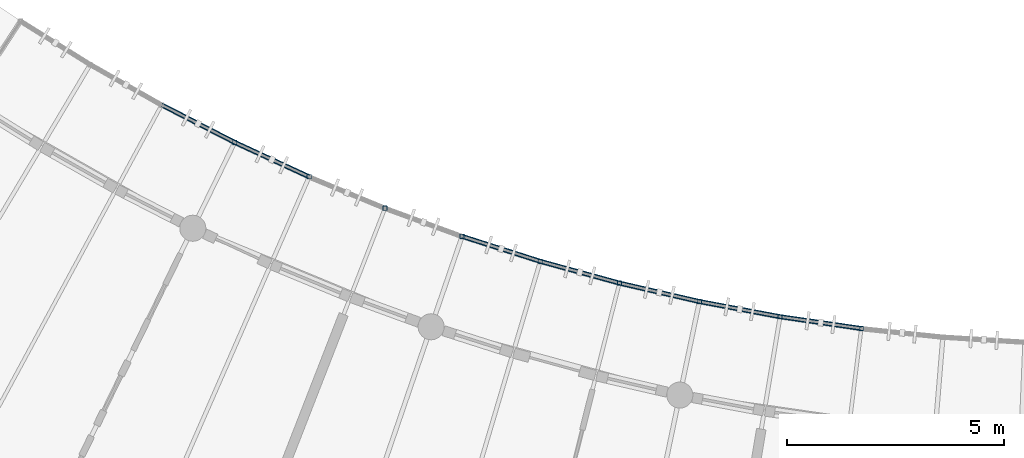
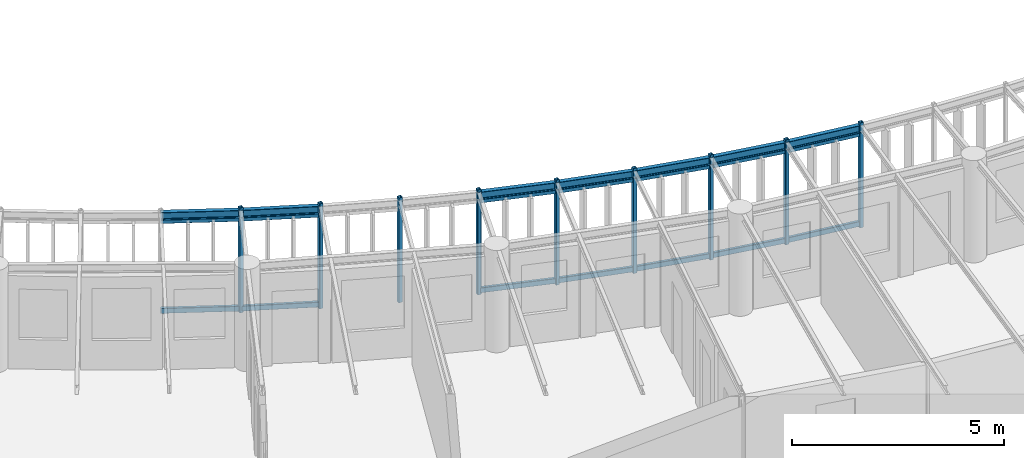
# One storey, part 9 of 100: 23 members, 7 beams.
"""IFC4 building model written with IfcOpenShell, lengths in metres."""

import ifcopenshell
import ifcopenshell.guid

model = None  # the IFC model being written
_history = None  # IfcOwnerHistory: only IFC2X3 demands one
_inside = {}  # id of a spatial element -> (the spatial element, [elements in it])
_under = {}  # id of a project, library or spatial element -> (it, [spatial elements below it])
_declared = {}  # id of a project -> (the project, [libraries it declares])
_typed = {}  # id of a type object -> (the type object, [elements of that type])
_made_of = {}  # id of a material, layer set ... -> (it, [elements and type objects made of it])


def new_model(schema):
    """Start an empty IFC model of exactly this schema.

    Asked for "IFC4X3", IfcOpenShell would pick the latest addendum, in which some entities
    have other attributes; the version numbers below select the first issue.
    IFC2X3 requires an IfcOwnerHistory on every rooted entity: one is made here for all.
    """
    global model, _history
    if schema == "IFC4X3":
        model = ifcopenshell.file(schema_version=(4, 3, 0, 0))
    else:
        model = ifcopenshell.file(schema=schema)
    _inside.clear()
    _under.clear()
    _declared.clear()
    _typed.clear()
    _made_of.clear()
    _history = None
    if model.schema == "IFC2X3":
        org = make("IfcOrganization", Name="unknown")
        user = make(
            "IfcPersonAndOrganization",
            ThePerson=make("IfcPerson", FamilyName="unknown"),
            TheOrganization=org,
        )
        app = make(
            "IfcApplication",
            ApplicationDeveloper=org,
            Version="unknown",
            ApplicationFullName="unknown",
            ApplicationIdentifier="unknown",
        )
        _history = make(
            "IfcOwnerHistory",
            OwningUser=user,
            OwningApplication=app,
            ChangeAction="ADDED",
            CreationDate=0,
        )
    return model


def make(cls, **values):
    """One entity of the class cls with the attributes given. An attribute that is None is left unset."""
    return model.create_entity(
        cls, **{name: value for name, value in values.items() if value is not None}
    )


def rooted(cls, **values):
    """An entity with a GlobalId (a new one), such as an element, a storey or a relation."""
    return make(cls, GlobalId=ifcopenshell.guid.new(), OwnerHistory=_history, **values)


def si_unit(unit_type, name, prefix=None):
    """IfcSIUnit, for example si_unit("LENGTHUNIT", "METRE", prefix="MILLI")."""
    return make("IfcSIUnit", UnitType=unit_type, Prefix=prefix, Name=name)


def assignment(units):
    """IfcUnitAssignment: the units of a project."""
    return None if units is None else make("IfcUnitAssignment", Units=units)


def point(xyz):
    """IfcCartesianPoint."""
    return None if xyz is None else make("IfcCartesianPoint", Coordinates=xyz)


def direction(xyz):
    """IfcDirection."""
    return None if xyz is None else make("IfcDirection", DirectionRatios=xyz)


def frame(location, z_axis=None, x_axis=None):
    """IfcAxis2Placement3D, a coordinate frame: its origin and axes. An axis left out is left unset."""
    return make(
        "IfcAxis2Placement3D",
        Location=point(location),
        Axis=direction(z_axis),
        RefDirection=direction(x_axis),
    )


def frame_2d(location, x_axis=None):
    """IfcAxis2Placement2D, a coordinate frame in the plane: its origin and x axis."""
    return make(
        "IfcAxis2Placement2D", Location=point(location), RefDirection=direction(x_axis)
    )


def origin():
    """The frame at (0, 0, 0) with its axes left unset."""
    return frame((0.0, 0.0, 0.0))


def origin_2d():
    """The frame at (0, 0) in the plane with its x axis left unset."""
    return frame_2d((0.0, 0.0))


def place(relative_to, where):
    """IfcLocalPlacement: puts the frame where relative to a parent placement (None: the world)."""
    return make(
        "IfcLocalPlacement", PlacementRelTo=relative_to, RelativePlacement=where
    )


def context(
    kind, dimensions, precision=None, world=None, true_north=None, identifier=None
):
    """IfcGeometricRepresentationContext, for example the 3D "Model" context."""
    return make(
        "IfcGeometricRepresentationContext",
        ContextIdentifier=identifier,
        ContextType=kind,
        CoordinateSpaceDimension=dimensions,
        Precision=precision,
        WorldCoordinateSystem=world,
        TrueNorth=true_north,
    )


def subcontext(parent, identifier, kind, view, scale=None):
    """IfcGeometricRepresentationSubContext, for example "Body" below "Model"."""
    return make(
        "IfcGeometricRepresentationSubContext",
        ContextIdentifier=identifier,
        ContextType=kind,
        ParentContext=parent,
        TargetScale=scale,
        TargetView=view,
    )


def project(units=None, contexts=None):
    """IfcProject with its units and contexts."""
    return rooted(
        "IfcProject",
        Name="project",
        RepresentationContexts=contexts,
        UnitsInContext=assignment(units),
    )


def spatial(cls, under=None, at=None, **own):
    """A site, building, storey or space (cls), placed at a placement, below another one or the project."""
    s = rooted(cls, ObjectPlacement=at, **own)
    if under is not None:
        _under.setdefault(under.id(), (under, []))[1].append(s)
    return s


def profile(cls, at=None, kind="AREA", **sizes):
    """A parametric profile (cls). Its sizes go by their IFC names, for example OverallWidth=200.0."""
    return make(cls, ProfileType=kind, Position=at, **sizes)


def hollow_rectangle(**sizes):
    """IfcRectangleHollowProfileDef."""
    return profile("IfcRectangleHollowProfileDef", **sizes)


def i_section(**sizes):
    """IfcIShapeProfileDef."""
    return profile("IfcIShapeProfileDef", **sizes)


def extrude(swept, where, along, depth):
    """IfcExtrudedAreaSolid: the profile swept, set in the frame where, extruded along a direction by depth."""
    return make(
        "IfcExtrudedAreaSolid",
        SweptArea=swept,
        Position=where,
        ExtrudedDirection=direction(along),
        Depth=depth,
    )


def shape(context_of_items, identifier, shape_type, items):
    """IfcShapeRepresentation: the items that make up one representation, for example the "Body"."""
    return make(
        "IfcShapeRepresentation",
        ContextOfItems=context_of_items,
        RepresentationIdentifier=identifier,
        RepresentationType=shape_type,
        Items=items,
    )


def material(Name=None, Category=None):
    """IfcMaterial."""
    return make("IfcMaterial", Name=Name, Category=Category)


def material_profile(
    of_material, cross_section, Name=None, Category=None, Priority=None
):
    """IfcMaterialProfile: a cross section and its material."""
    return make(
        "IfcMaterialProfile",
        Name=Name,
        Material=of_material,
        Profile=cross_section,
        Priority=Priority,
        Category=Category,
    )


def profile_set(profiles, Name=None, composite=None):
    """IfcMaterialProfileSet."""
    return make(
        "IfcMaterialProfileSet",
        Name=Name,
        MaterialProfiles=profiles,
        CompositeProfile=composite,
    )


def made_of(thing, what):
    """Note that an element or type object is made of a material, layer set ...; save() writes the relation."""
    if what is not None:
        _made_of.setdefault(what.id(), (what, []))[1].append(thing)
    return thing


def type_object(cls, material=None, **own):
    """A type object (cls), such as IfcWallType, which elements share."""
    return made_of(rooted(cls, **own), material)


def element(
    cls,
    number,
    at=None,
    inside=None,
    cuts=None,
    type_object=None,
    material=None,
    context=None,
    identifier="Body",
    shape_type=None,
    held_by="IfcProductDefinitionShape",
    body=None,
    shapes=None,
    **own,
):
    """One element of the class cls, such as IfcWall. Its Tag is "e" and its number.

    at: its placement. inside: the storey or other place that contains it. cuts: it is an
    opening in that element (IfcRelVoidsElement). A single representation is given by context,
    identifier, shape_type and body (its items); several are given by shapes. held_by: the class
    of the entity that holds the representations. save() writes the other relations.
    """
    e = rooted(cls, Tag="e%d" % number, ObjectPlacement=at, **own)
    if body is not None:
        shapes = [shape(context, identifier, shape_type, body)]
    if shapes is not None:
        e.Representation = make(held_by, Representations=shapes)
    if inside is not None:
        _inside.setdefault(inside.id(), (inside, []))[1].append(e)
    if cuts is not None:
        rooted(
            "IfcRelVoidsElement", RelatingBuildingElement=cuts, RelatedOpeningElement=e
        )
    if type_object is not None:
        _typed.setdefault(type_object.id(), (type_object, []))[1].append(e)
    return made_of(e, material)


def aggregate(whole, parts):
    """IfcRelAggregates: a whole, such as a stair, and the parts it consists of."""
    return rooted("IfcRelAggregates", RelatingObject=whole, RelatedObjects=parts)


def save(model, path):
    """Write the relations noted so far, then the file.

    IfcRelAggregates (storeys below a building ...), IfcRelContainedInSpatialStructure (elements
    in a storey), IfcRelDefinesByType, IfcRelAssociatesMaterial and IfcRelDeclares: one each for
    every whole, place, type object, material and project.
    """
    for whole, parts in _under.values():
        aggregate(whole, parts)
    for where, things in _inside.values():
        rooted(
            "IfcRelContainedInSpatialStructure",
            RelatedElements=things,
            RelatingStructure=where,
        )
    for kind, things in _typed.values():
        rooted("IfcRelDefinesByType", RelatedObjects=things, RelatingType=kind)
    for what, things in _made_of.values():
        rooted("IfcRelAssociatesMaterial", RelatedObjects=things, RelatingMaterial=what)
    for by, libraries in _declared.values():
        rooted("IfcRelDeclares", RelatingContext=by, RelatedDefinitions=libraries)
    model.write(path)


model = new_model("IFC4")

# Units and contexts
model_context = context("Model", 3, precision=1e-05, world=origin(), true_north=direction((0.0, 1.0)))
body_context = subcontext(model_context, "Body", "Model", "MODEL_VIEW")
ifc_project = project(units=[si_unit("LENGTHUNIT", "METRE"), si_unit("AREAUNIT", "SQUARE_METRE"), si_unit("VOLUMEUNIT", "CUBIC_METRE"), si_unit("PLANEANGLEUNIT", "RADIAN"), si_unit("MASSUNIT", "GRAM", prefix="KILO"), si_unit("POWERUNIT", "WATT"), si_unit("THERMODYNAMICTEMPERATUREUNIT", "KELVIN")], contexts=[model_context])

# Site, building, storey
site_placement = place(None, origin())
site = spatial("IfcSite", under=ifc_project, at=site_placement, CompositionType="ELEMENT")
building_placement = place(site_placement, origin())
building = spatial("IfcBuilding", under=site, at=building_placement, Name="Ruvembo Vaulted Housing Court", CompositionType="ELEMENT")
storey_placement = place(building_placement, frame((0.0, 0.0, 14.10009765625)))
storey = spatial("IfcBuildingStorey", under=building, at=storey_placement, Name="L04", CompositionType="ELEMENT", Elevation=14.10009765625)

# Beams
ifc_material = material(Name="Steel S355J2", Category="steel")
ifc_material_profile_1 = material_profile(ifc_material, i_section(OverallWidth=0.110107421875, OverallDepth=0.219970703125, WebThickness=0.005859375, FlangeThickness=0.00927734375, FilletRadius=0.011962890625, at=origin_2d()), Name="IPE 220")
ifc_profile_set_1 = profile_set([ifc_material_profile_1], Name="Steel S355J2")
beam_type = type_object("IfcBeamType", Name="BM-ST-IPE220", PredefinedType="SPANDREL", material=ifc_profile_set_1)
for number, where, z_axis, x_axis, name in (
    (1, (47.241943359375, 21.6982421875, 2.829833984375), (0.889568437347, -0.45680192127, 0.0), (0.45680192127, 0.889568437347, 0.0), "Scoop SC2 L04 Balcony Edge Spandrel 2"),
    (2, (48.922607421875, 20.835205078125, 2.829833984375), (0.907656578832, -0.419713634403, 0.0), (0.419713634403, 0.907656578832, 0.0), "Scoop SC2 L04 Balcony Edge Spandrel 3"),
):
    element("IfcBeam", number, at=place(storey_placement, frame(where, z_axis=z_axis, x_axis=x_axis)), inside=storey, type_object=beam_type, Name=name, PredefinedType="SPANDREL", context=body_context, shape_type="SweptSolid", body=[
        extrude(i_section(OverallWidth=0.110107421875, OverallDepth=0.219970703125, WebThickness=0.005859375, FlangeThickness=0.00927734375, FilletRadius=0.011962890625, at=origin_2d()), origin(), (0.0, 0.0, 1.0), 1.889404296875),
    ])
beam_1_placement = place(storey_placement, frame((54.15771484375, 18.671630859375, 2.829833984375), z_axis=(0.952526124364, -0.304456864605, 0.0), x_axis=(0.304456864605, 0.952526124364, 0.0)))
element("IfcBeam", 3, at=beam_1_placement, inside=storey, type_object=beam_type, Name="Scoop SC2 L04 Balcony Edge Spandrel 6", PredefinedType="SPANDREL", context=body_context, shape_type="SweptSolid", body=[
    extrude(i_section(OverallWidth=0.110107421875, OverallDepth=0.219970703125, WebThickness=0.005859375, FlangeThickness=0.00927734375, FilletRadius=0.011962890625, at=origin_2d()), origin(), (0.0, 0.0, 1.0), 1.88916015625),
])
beam_2_placement = place(storey_placement, frame((55.957275390625, 18.096435546875, 2.829833984375), z_axis=(0.964240073493, -0.26503033915, 0.0), x_axis=(0.26503033915, 0.964240073493, 0.0)))
element("IfcBeam", 4, at=beam_2_placement, inside=storey, type_object=beam_type, Name="Scoop SC2 L04 Balcony Edge Spandrel 7", PredefinedType="SPANDREL", context=body_context, shape_type="SweptSolid", body=[
    extrude(i_section(OverallWidth=0.110107421875, OverallDepth=0.219970703125, WebThickness=0.005859375, FlangeThickness=0.00927734375, FilletRadius=0.011962890625, at=origin_2d()), origin(), (0.0, 0.0, 1.0), 1.889404296875),
])
beam_3_placement = place(storey_placement, frame((57.779052734375, 17.595703125, 2.829833984375), z_axis=(0.974391195695, -0.224859506699, 0.0), x_axis=(0.224859506699, 0.974391195695, 0.0)))
element("IfcBeam", 5, at=beam_3_placement, inside=storey, type_object=beam_type, Name="Scoop SC2 L04 Balcony Edge Spandrel 8", PredefinedType="SPANDREL", context=body_context, shape_type="SweptSolid", body=[
    extrude(i_section(OverallWidth=0.110107421875, OverallDepth=0.219970703125, WebThickness=0.005859375, FlangeThickness=0.00927734375, FilletRadius=0.011962890625, at=origin_2d()), origin(), (0.0, 0.0, 1.0), 1.88916015625),
])
beam_4_placement = place(storey_placement, frame((59.619873046875, 17.1708984375, 2.829833984375), z_axis=(0.982804832401, -0.184647397515, 0.0), x_axis=(0.184647397515, 0.982804832401, 0.0)))
element("IfcBeam", 6, at=beam_4_placement, inside=storey, type_object=beam_type, Name="Scoop SC2 L04 Balcony Edge Spandrel 9", PredefinedType="SPANDREL", context=body_context, shape_type="SweptSolid", body=[
    extrude(i_section(OverallWidth=0.110107421875, OverallDepth=0.219970703125, WebThickness=0.005859375, FlangeThickness=0.00927734375, FilletRadius=0.011962890625, at=origin_2d()), origin(), (0.0, 0.0, 1.0), 1.889404296875),
])
beam_5_placement = place(storey_placement, frame((61.476806640625, 16.822021484375, 2.829833984375), z_axis=(0.989600158039, -0.143845497701, 0.0), x_axis=(0.143845497701, 0.989600158039, 0.0)))
element("IfcBeam", 7, at=beam_5_placement, inside=storey, type_object=beam_type, Name="Scoop SC2 L04 Balcony Edge Spandrel 10", PredefinedType="SPANDREL", context=body_context, shape_type="SweptSolid", body=[
    extrude(i_section(OverallWidth=0.110107421875, OverallDepth=0.219970703125, WebThickness=0.005859375, FlangeThickness=0.00927734375, FilletRadius=0.011962890625, at=origin_2d()), origin(), (0.0, 0.0, 1.0), 1.888916015625),
])

# Members
ifc_material_profile_2 = material_profile(ifc_material, hollow_rectangle(XDim=0.06005859375, YDim=0.1201171875, WallThickness=0.0048828125, InnerFilletRadius=0.0048828125, OuterFilletRadius=0.010009765625, at=origin_2d()), Name="RHS 120x60x5")
ifc_profile_set_2 = profile_set([ifc_material_profile_2], Name="Steel S355J2")
member_type_1 = type_object("IfcMemberType", Name="MEM-CAR-RHS120", PredefinedType="CHORD", material=ifc_profile_set_2)
for number, where, z_axis, x_axis, name in (
    (8, (47.241943359375, 21.6982421875, 2.662841796875), (0.889568437347, -0.45680192127, 0.0), (0.45680192127, 0.889568437347, 0.0), "Scoop SC2 L04 Upper Louvre Carrier Rail 2"),
    (9, (48.922607421875, 20.835205078125, 2.662841796875), (0.907656578832, -0.419713634403, 0.0), (0.419713634403, 0.907656578832, 0.0), "Scoop SC2 L04 Upper Louvre Carrier Rail 3"),
):
    element("IfcMember", number, at=place(storey_placement, frame(where, z_axis=z_axis, x_axis=x_axis)), inside=storey, type_object=member_type_1, Name=name, PredefinedType="CHORD", context=body_context, shape_type="SweptSolid", body=[
        extrude(hollow_rectangle(XDim=0.06005859375, YDim=0.1201171875, WallThickness=0.0048828125, InnerFilletRadius=0.0048828125, OuterFilletRadius=0.010009765625, at=origin_2d()), origin(), (0.0, 0.0, 1.0), 1.889404296875),
    ])
member_1_placement = place(storey_placement, frame((54.15771484375, 18.671630859375, 2.662841796875), z_axis=(0.952526124364, -0.304456864605, 0.0), x_axis=(0.304456864605, 0.952526124364, 0.0)))
element("IfcMember", 10, at=member_1_placement, inside=storey, type_object=member_type_1, Name="Scoop SC2 L04 Upper Louvre Carrier Rail 6", PredefinedType="CHORD", context=body_context, shape_type="SweptSolid", body=[
    extrude(hollow_rectangle(XDim=0.06005859375, YDim=0.1201171875, WallThickness=0.0048828125, InnerFilletRadius=0.0048828125, OuterFilletRadius=0.010009765625, at=origin_2d()), origin(), (0.0, 0.0, 1.0), 1.88916015625),
])
member_2_placement = place(storey_placement, frame((55.957275390625, 18.096435546875, 2.662841796875), z_axis=(0.964240073493, -0.26503033915, 0.0), x_axis=(0.26503033915, 0.964240073493, 0.0)))
element("IfcMember", 11, at=member_2_placement, inside=storey, type_object=member_type_1, Name="Scoop SC2 L04 Upper Louvre Carrier Rail 7", PredefinedType="CHORD", context=body_context, shape_type="SweptSolid", body=[
    extrude(hollow_rectangle(XDim=0.06005859375, YDim=0.1201171875, WallThickness=0.0048828125, InnerFilletRadius=0.0048828125, OuterFilletRadius=0.010009765625, at=origin_2d()), origin(), (0.0, 0.0, 1.0), 1.889404296875),
])
member_3_placement = place(storey_placement, frame((57.779052734375, 17.595703125, 2.662841796875), z_axis=(0.974391195695, -0.224859506699, 0.0), x_axis=(0.224859506699, 0.974391195695, 0.0)))
element("IfcMember", 12, at=member_3_placement, inside=storey, type_object=member_type_1, Name="Scoop SC2 L04 Upper Louvre Carrier Rail 8", PredefinedType="CHORD", context=body_context, shape_type="SweptSolid", body=[
    extrude(hollow_rectangle(XDim=0.06005859375, YDim=0.1201171875, WallThickness=0.0048828125, InnerFilletRadius=0.0048828125, OuterFilletRadius=0.010009765625, at=origin_2d()), origin(), (0.0, 0.0, 1.0), 1.88916015625),
])
member_4_placement = place(storey_placement, frame((59.619873046875, 17.1708984375, 2.662841796875), z_axis=(0.982804832401, -0.184647397515, 0.0), x_axis=(0.184647397515, 0.982804832401, 0.0)))
element("IfcMember", 13, at=member_4_placement, inside=storey, type_object=member_type_1, Name="Scoop SC2 L04 Upper Louvre Carrier Rail 9", PredefinedType="CHORD", context=body_context, shape_type="SweptSolid", body=[
    extrude(hollow_rectangle(XDim=0.06005859375, YDim=0.1201171875, WallThickness=0.0048828125, InnerFilletRadius=0.0048828125, OuterFilletRadius=0.010009765625, at=origin_2d()), origin(), (0.0, 0.0, 1.0), 1.889404296875),
])
member_5_placement = place(storey_placement, frame((61.476806640625, 16.822021484375, 2.662841796875), z_axis=(0.989600158039, -0.143845497701, 0.0), x_axis=(0.143845497701, 0.989600158039, 0.0)))
element("IfcMember", 14, at=member_5_placement, inside=storey, type_object=member_type_1, Name="Scoop SC2 L04 Upper Louvre Carrier Rail 10", PredefinedType="CHORD", context=body_context, shape_type="SweptSolid", body=[
    extrude(hollow_rectangle(XDim=0.06005859375, YDim=0.1201171875, WallThickness=0.0048828125, InnerFilletRadius=0.0048828125, OuterFilletRadius=0.010009765625, at=origin_2d()), origin(), (0.0, 0.0, 1.0), 1.888916015625),
])
ifc_material_profile_3 = material_profile(ifc_material, hollow_rectangle(XDim=0.080078125, YDim=0.14990234375, WallThickness=0.00634765625, InnerFilletRadius=0.00634765625, OuterFilletRadius=0.0126953125, at=origin_2d()), Name="RHS 150x80x6.3")
ifc_profile_set_3 = profile_set([ifc_material_profile_3], Name="Steel S355J2")
member_type_2 = type_object("IfcMemberType", Name="MEM-CAR-RHS150", PredefinedType="CHORD", material=ifc_profile_set_3)
for number, where, z_axis, x_axis, name in (
    (15, (47.241943359375, 21.6982421875, 0.094970703125), (0.889568437347, -0.45680192127, 0.0), (0.45680192127, 0.889568437347, 0.0), "Scoop SC2 L04 Lower Louvre Carrier Rail 2"),
    (16, (48.922607421875, 20.835205078125, 0.094970703125), (0.907656578832, -0.419713634403, 0.0), (0.419713634403, 0.907656578832, 0.0), "Scoop SC2 L04 Lower Louvre Carrier Rail 3"),
):
    element("IfcMember", number, at=place(storey_placement, frame(where, z_axis=z_axis, x_axis=x_axis)), inside=storey, type_object=member_type_2, Name=name, PredefinedType="CHORD", context=body_context, shape_type="SweptSolid", body=[
        extrude(hollow_rectangle(XDim=0.080078125, YDim=0.14990234375, WallThickness=0.00634765625, InnerFilletRadius=0.00634765625, OuterFilletRadius=0.0126953125, at=origin_2d()), origin(), (0.0, 0.0, 1.0), 1.889404296875),
    ])
member_6_placement = place(storey_placement, frame((54.15771484375, 18.671630859375, 0.094970703125), z_axis=(0.952526124364, -0.304456864605, 0.0), x_axis=(0.304456864605, 0.952526124364, 0.0)))
element("IfcMember", 17, at=member_6_placement, inside=storey, type_object=member_type_2, Name="Scoop SC2 L04 Lower Louvre Carrier Rail 6", PredefinedType="CHORD", context=body_context, shape_type="SweptSolid", body=[
    extrude(hollow_rectangle(XDim=0.080078125, YDim=0.14990234375, WallThickness=0.00634765625, InnerFilletRadius=0.00634765625, OuterFilletRadius=0.0126953125, at=origin_2d()), origin(), (0.0, 0.0, 1.0), 1.88916015625),
])
member_7_placement = place(storey_placement, frame((55.957275390625, 18.096435546875, 0.094970703125), z_axis=(0.964240073493, -0.26503033915, 0.0), x_axis=(0.26503033915, 0.964240073493, 0.0)))
element("IfcMember", 18, at=member_7_placement, inside=storey, type_object=member_type_2, Name="Scoop SC2 L04 Lower Louvre Carrier Rail 7", PredefinedType="CHORD", context=body_context, shape_type="SweptSolid", body=[
    extrude(hollow_rectangle(XDim=0.080078125, YDim=0.14990234375, WallThickness=0.00634765625, InnerFilletRadius=0.00634765625, OuterFilletRadius=0.0126953125, at=origin_2d()), origin(), (0.0, 0.0, 1.0), 1.889404296875),
])
member_8_placement = place(storey_placement, frame((57.779052734375, 17.595703125, 0.094970703125), z_axis=(0.974391195695, -0.224859506699, 0.0), x_axis=(0.224859506699, 0.974391195695, 0.0)))
element("IfcMember", 19, at=member_8_placement, inside=storey, type_object=member_type_2, Name="Scoop SC2 L04 Lower Louvre Carrier Rail 8", PredefinedType="CHORD", context=body_context, shape_type="SweptSolid", body=[
    extrude(hollow_rectangle(XDim=0.080078125, YDim=0.14990234375, WallThickness=0.00634765625, InnerFilletRadius=0.00634765625, OuterFilletRadius=0.0126953125, at=origin_2d()), origin(), (0.0, 0.0, 1.0), 1.88916015625),
])
member_9_placement = place(storey_placement, frame((59.619873046875, 17.1708984375, 0.094970703125), z_axis=(0.982804832401, -0.184647397515, 0.0), x_axis=(0.184647397515, 0.982804832401, 0.0)))
element("IfcMember", 20, at=member_9_placement, inside=storey, type_object=member_type_2, Name="Scoop SC2 L04 Lower Louvre Carrier Rail 9", PredefinedType="CHORD", context=body_context, shape_type="SweptSolid", body=[
    extrude(hollow_rectangle(XDim=0.080078125, YDim=0.14990234375, WallThickness=0.00634765625, InnerFilletRadius=0.00634765625, OuterFilletRadius=0.0126953125, at=origin_2d()), origin(), (0.0, 0.0, 1.0), 1.889404296875),
])
member_10_placement = place(storey_placement, frame((61.476806640625, 16.822021484375, 0.094970703125), z_axis=(0.989600158039, -0.143845497701, 0.0), x_axis=(0.143845497701, 0.989600158039, 0.0)))
element("IfcMember", 21, at=member_10_placement, inside=storey, type_object=member_type_2, Name="Scoop SC2 L04 Lower Louvre Carrier Rail 10", PredefinedType="CHORD", context=body_context, shape_type="SweptSolid", body=[
    extrude(hollow_rectangle(XDim=0.080078125, YDim=0.14990234375, WallThickness=0.00634765625, InnerFilletRadius=0.00634765625, OuterFilletRadius=0.0126953125, at=origin_2d()), origin(), (0.0, 0.0, 1.0), 1.888916015625),
])
ifc_material_profile_4 = material_profile(ifc_material, hollow_rectangle(XDim=0.10009765625, YDim=0.10009765625, WallThickness=0.00634765625, InnerFilletRadius=0.00634765625, OuterFilletRadius=0.0126953125, at=origin_2d()), Name="SHS 100x100x6.3")
ifc_profile_set_4 = profile_set([ifc_material_profile_4], Name="Steel S355J2")
member_type_3 = type_object("IfcMemberType", Name="MEM-FRM-SHS100", PredefinedType="STRUT", material=ifc_profile_set_4)
for number, where, z_axis, x_axis, name in (
    (22, (48.922607421875, 20.835205078125, -0.01513671875), (0.0, 0.0, 1.0), (1.0, 0.0, 0.0), "Scoop SC2 L04 Louvre Frame Post 3"),
    (23, (50.637451171875, 20.042236328125, -0.01513671875), (0.0, 0.0, 1.0), (1.0, 0.0, 0.0), "Scoop SC2 L04 Louvre Frame Post 4"),
    (24, (52.38330078125, 19.320556640625, -0.01513671875), (0.0, 0.0, 1.0), (1.0, 0.0, 0.0), "Scoop SC2 L04 Louvre Frame Post 5"),
    (25, (54.15771484375, 18.671630859375, -0.01513671875), (0.0, 0.0, 1.0), (1.0, 0.0, 0.0), "Scoop SC2 L04 Louvre Frame Post 6"),
    (26, (55.957275390625, 18.096435546875, -0.01513671875), (0.0, 0.0, 1.0), (1.0, 0.0, 0.0), "Scoop SC2 L04 Louvre Frame Post 7"),
    (27, (57.779052734375, 17.595703125, -0.01513671875), (0.0, 0.0, 1.0), (1.0, 0.0, 0.0), "Scoop SC2 L04 Louvre Frame Post 8"),
    (28, (59.619873046875, 17.1708984375, -0.01513671875), (0.0, 0.0, 1.0), (1.0, 0.0, 0.0), "Scoop SC2 L04 Louvre Frame Post 9"),
    (29, (61.476806640625, 16.822021484375, -0.01513671875), (0.0, 0.0, 1.0), (1.0, 0.0, 0.0), "Scoop SC2 L04 Louvre Frame Post 10"),
    (30, (63.34619140625, 16.55029296875, -0.01513671875), (0.0, 0.0, 1.0), (1.0, 0.0, 0.0), "Scoop SC2 L04 Louvre Frame Post 11"),
):
    element("IfcMember", number, at=place(storey_placement, frame(where, z_axis=z_axis, x_axis=x_axis)), inside=storey, type_object=member_type_3, Name=name, PredefinedType="STRUT", context=body_context, shape_type="SweptSolid", body=[
        extrude(hollow_rectangle(XDim=0.10009765625, YDim=0.10009765625, WallThickness=0.00634765625, InnerFilletRadius=0.00634765625, OuterFilletRadius=0.0126953125, at=origin_2d()), origin(), (0.0, 0.0, 1.0), 3.02294921875),
    ])

save(model, "model.ifc")
